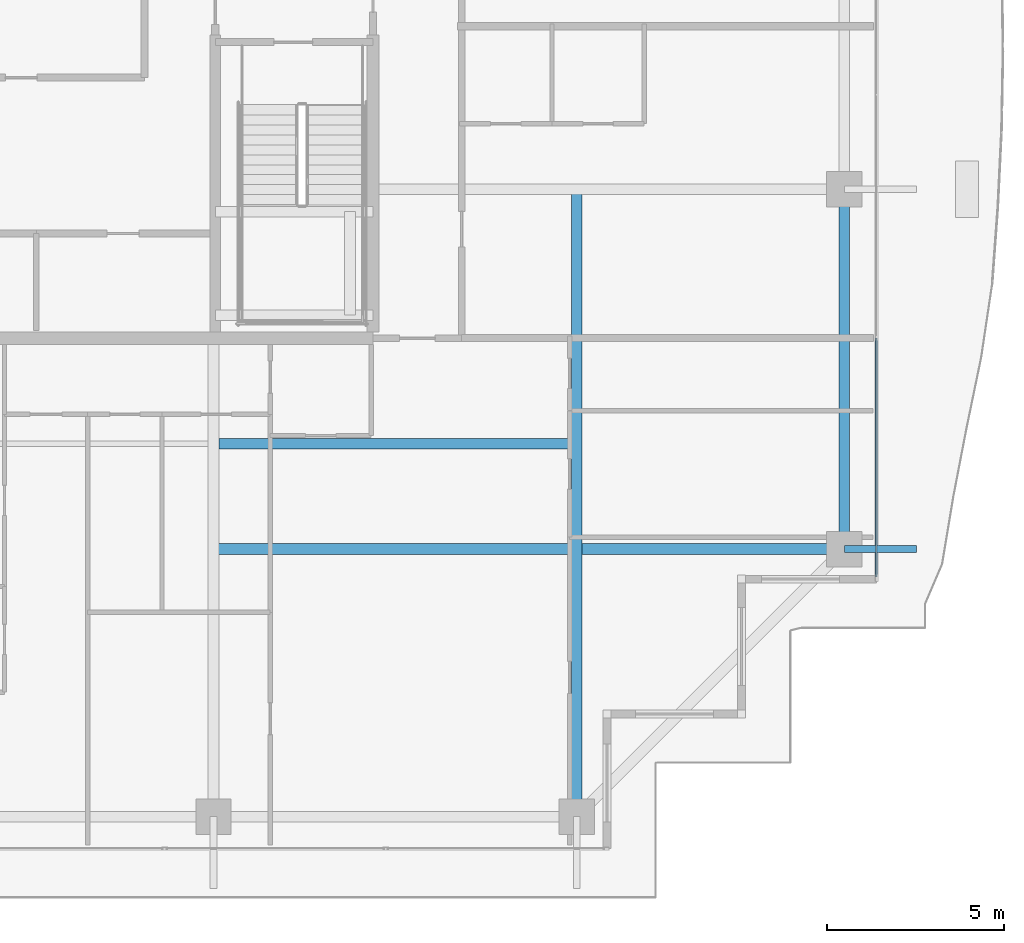
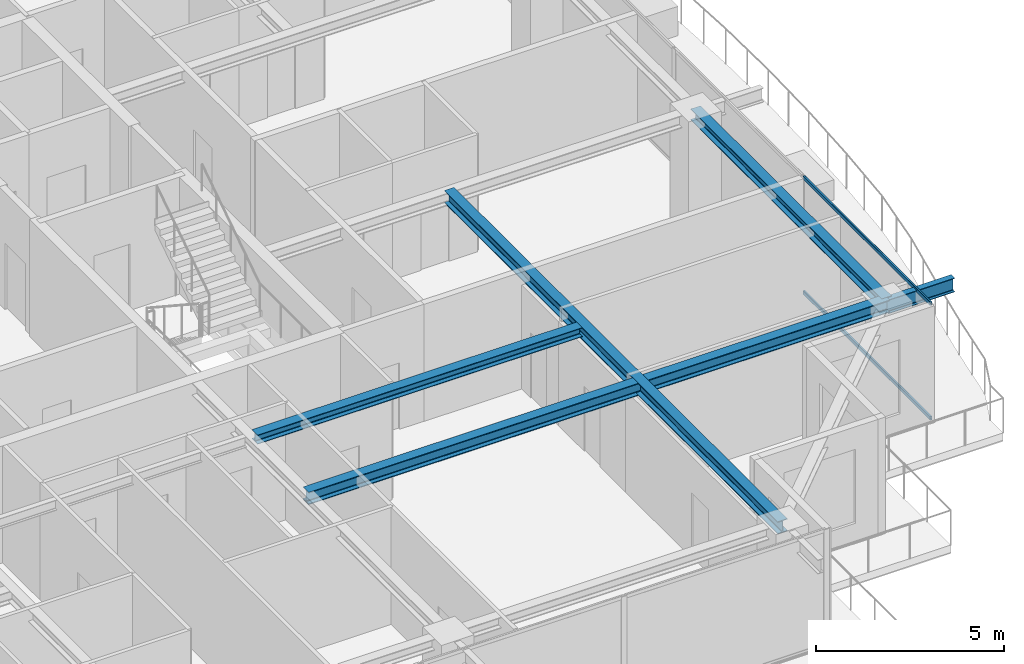
# One storey, part 14 of 39: 5 beams, 2 members, 1 element without a shape of its own.
"""IFC4 building model written with IfcOpenShell, lengths in metres."""

import ifcopenshell
import ifcopenshell.guid

model = None  # the IFC model being written
_history = None  # IfcOwnerHistory: only IFC2X3 demands one
_inside = {}  # id of a spatial element -> (the spatial element, [elements in it])
_under = {}  # id of a project, library or spatial element -> (it, [spatial elements below it])
_declared = {}  # id of a project -> (the project, [libraries it declares])
_typed = {}  # id of a type object -> (the type object, [elements of that type])
_made_of = {}  # id of a material, layer set ... -> (it, [elements and type objects made of it])


def new_model(schema):
    """Start an empty IFC model of exactly this schema.

    Asked for "IFC4X3", IfcOpenShell would pick the latest addendum, in which some entities
    have other attributes; the version numbers below select the first issue.
    IFC2X3 requires an IfcOwnerHistory on every rooted entity: one is made here for all.
    """
    global model, _history
    if schema == "IFC4X3":
        model = ifcopenshell.file(schema_version=(4, 3, 0, 0))
    else:
        model = ifcopenshell.file(schema=schema)
    _inside.clear()
    _under.clear()
    _declared.clear()
    _typed.clear()
    _made_of.clear()
    _history = None
    if model.schema == "IFC2X3":
        org = make("IfcOrganization", Name="unknown")
        user = make(
            "IfcPersonAndOrganization",
            ThePerson=make("IfcPerson", FamilyName="unknown"),
            TheOrganization=org,
        )
        app = make(
            "IfcApplication",
            ApplicationDeveloper=org,
            Version="unknown",
            ApplicationFullName="unknown",
            ApplicationIdentifier="unknown",
        )
        _history = make(
            "IfcOwnerHistory",
            OwningUser=user,
            OwningApplication=app,
            ChangeAction="ADDED",
            CreationDate=0,
        )
    return model


def make(cls, **values):
    """One entity of the class cls with the attributes given. An attribute that is None is left unset."""
    return model.create_entity(
        cls, **{name: value for name, value in values.items() if value is not None}
    )


def rooted(cls, **values):
    """An entity with a GlobalId (a new one), such as an element, a storey or a relation."""
    return make(cls, GlobalId=ifcopenshell.guid.new(), OwnerHistory=_history, **values)


def si_unit(unit_type, name, prefix=None):
    """IfcSIUnit, for example si_unit("LENGTHUNIT", "METRE", prefix="MILLI")."""
    return make("IfcSIUnit", UnitType=unit_type, Prefix=prefix, Name=name)


def assignment(units):
    """IfcUnitAssignment: the units of a project."""
    return None if units is None else make("IfcUnitAssignment", Units=units)


def point(xyz):
    """IfcCartesianPoint."""
    return None if xyz is None else make("IfcCartesianPoint", Coordinates=xyz)


def direction(xyz):
    """IfcDirection."""
    return None if xyz is None else make("IfcDirection", DirectionRatios=xyz)


def frame(location, z_axis=None, x_axis=None):
    """IfcAxis2Placement3D, a coordinate frame: its origin and axes. An axis left out is left unset."""
    return make(
        "IfcAxis2Placement3D",
        Location=point(location),
        Axis=direction(z_axis),
        RefDirection=direction(x_axis),
    )


def frame_2d(location, x_axis=None):
    """IfcAxis2Placement2D, a coordinate frame in the plane: its origin and x axis."""
    return make(
        "IfcAxis2Placement2D", Location=point(location), RefDirection=direction(x_axis)
    )


def origin():
    """The frame at (0, 0, 0) with its axes left unset."""
    return frame((0.0, 0.0, 0.0))


def origin_2d():
    """The frame at (0, 0) in the plane with its x axis left unset."""
    return frame_2d((0.0, 0.0))


def place(relative_to, where):
    """IfcLocalPlacement: puts the frame where relative to a parent placement (None: the world)."""
    return make(
        "IfcLocalPlacement", PlacementRelTo=relative_to, RelativePlacement=where
    )


def context(
    kind, dimensions, precision=None, world=None, true_north=None, identifier=None
):
    """IfcGeometricRepresentationContext, for example the 3D "Model" context."""
    return make(
        "IfcGeometricRepresentationContext",
        ContextIdentifier=identifier,
        ContextType=kind,
        CoordinateSpaceDimension=dimensions,
        Precision=precision,
        WorldCoordinateSystem=world,
        TrueNorth=true_north,
    )


def subcontext(parent, identifier, kind, view, scale=None):
    """IfcGeometricRepresentationSubContext, for example "Body" below "Model"."""
    return make(
        "IfcGeometricRepresentationSubContext",
        ContextIdentifier=identifier,
        ContextType=kind,
        ParentContext=parent,
        TargetScale=scale,
        TargetView=view,
    )


def project(units=None, contexts=None):
    """IfcProject with its units and contexts."""
    return rooted(
        "IfcProject",
        Name="project",
        RepresentationContexts=contexts,
        UnitsInContext=assignment(units),
    )


def spatial(cls, under=None, at=None, **own):
    """A site, building, storey or space (cls), placed at a placement, below another one or the project."""
    s = rooted(cls, ObjectPlacement=at, **own)
    if under is not None:
        _under.setdefault(under.id(), (under, []))[1].append(s)
    return s


def profile(cls, at=None, kind="AREA", **sizes):
    """A parametric profile (cls). Its sizes go by their IFC names, for example OverallWidth=200.0."""
    return make(cls, ProfileType=kind, Position=at, **sizes)


def hollow_rectangle(**sizes):
    """IfcRectangleHollowProfileDef."""
    return profile("IfcRectangleHollowProfileDef", **sizes)


def i_section(**sizes):
    """IfcIShapeProfileDef."""
    return profile("IfcIShapeProfileDef", **sizes)


def extrude(swept, where, along, depth):
    """IfcExtrudedAreaSolid: the profile swept, set in the frame where, extruded along a direction by depth."""
    return make(
        "IfcExtrudedAreaSolid",
        SweptArea=swept,
        Position=where,
        ExtrudedDirection=direction(along),
        Depth=depth,
    )


def shape(context_of_items, identifier, shape_type, items):
    """IfcShapeRepresentation: the items that make up one representation, for example the "Body"."""
    return make(
        "IfcShapeRepresentation",
        ContextOfItems=context_of_items,
        RepresentationIdentifier=identifier,
        RepresentationType=shape_type,
        Items=items,
    )


def source(mapping_origin, context_of_items, identifier, shape_type, items):
    """IfcRepresentationMap: a shape defined once, which mapped items show again and again."""
    return make(
        "IfcRepresentationMap",
        MappingOrigin=mapping_origin,
        MappedRepresentation=shape(context_of_items, identifier, shape_type, items),
    )


def transform(
    local_origin,
    x_axis=None,
    y_axis=None,
    z_axis=None,
    scale=None,
    scale2=None,
    scale3=None,
    uniform=True,
):
    """IfcCartesianTransformationOperator3D, or its non-uniform kind. x_axis, y_axis, z_axis: its Axis1, 2, 3."""
    if uniform:
        return make(
            "IfcCartesianTransformationOperator3D",
            Axis1=direction(x_axis),
            Axis2=direction(y_axis),
            LocalOrigin=point(local_origin),
            Scale=scale,
            Axis3=direction(z_axis),
        )
    return make(
        "IfcCartesianTransformationOperator3DnonUniform",
        Axis1=direction(x_axis),
        Axis2=direction(y_axis),
        LocalOrigin=point(local_origin),
        Scale=scale,
        Axis3=direction(z_axis),
        Scale2=scale2,
        Scale3=scale3,
    )


def mapped(mapping_source, mapping_target):
    """IfcMappedItem: shows the shape of a source again, moved by a transform."""
    return make(
        "IfcMappedItem", MappingSource=mapping_source, MappingTarget=mapping_target
    )


def material(Name=None, Category=None):
    """IfcMaterial."""
    return make("IfcMaterial", Name=Name, Category=Category)


def layer(
    of_material, thickness, ventilated=None, Name=None, Category=None, Priority=None
):
    """IfcMaterialLayer: one layer of a wall or slab, of a material (None: an air gap)."""
    return make(
        "IfcMaterialLayer",
        Material=of_material,
        LayerThickness=thickness,
        IsVentilated=ventilated,
        Name=Name,
        Category=Category,
        Priority=Priority,
    )


def layer_set(layers, Name=None):
    """IfcMaterialLayerSet."""
    return make("IfcMaterialLayerSet", MaterialLayers=layers, LayerSetName=Name)


def material_profile(
    of_material, cross_section, Name=None, Category=None, Priority=None
):
    """IfcMaterialProfile: a cross section and its material."""
    return make(
        "IfcMaterialProfile",
        Name=Name,
        Material=of_material,
        Profile=cross_section,
        Priority=Priority,
        Category=Category,
    )


def profile_set(profiles, Name=None, composite=None):
    """IfcMaterialProfileSet."""
    return make(
        "IfcMaterialProfileSet",
        Name=Name,
        MaterialProfiles=profiles,
        CompositeProfile=composite,
    )


def made_of(thing, what):
    """Note that an element or type object is made of a material, layer set ...; save() writes the relation."""
    if what is not None:
        _made_of.setdefault(what.id(), (what, []))[1].append(thing)
    return thing


def type_object(cls, material=None, **own):
    """A type object (cls), such as IfcWallType, which elements share."""
    return made_of(rooted(cls, **own), material)


def element(
    cls,
    number,
    at=None,
    inside=None,
    cuts=None,
    type_object=None,
    material=None,
    context=None,
    identifier="Body",
    shape_type=None,
    held_by="IfcProductDefinitionShape",
    body=None,
    shapes=None,
    **own,
):
    """One element of the class cls, such as IfcWall. Its Tag is "e" and its number.

    at: its placement. inside: the storey or other place that contains it. cuts: it is an
    opening in that element (IfcRelVoidsElement). A single representation is given by context,
    identifier, shape_type and body (its items); several are given by shapes. held_by: the class
    of the entity that holds the representations. save() writes the other relations.
    """
    e = rooted(cls, Tag="e%d" % number, ObjectPlacement=at, **own)
    if body is not None:
        shapes = [shape(context, identifier, shape_type, body)]
    if shapes is not None:
        e.Representation = make(held_by, Representations=shapes)
    if inside is not None:
        _inside.setdefault(inside.id(), (inside, []))[1].append(e)
    if cuts is not None:
        rooted(
            "IfcRelVoidsElement", RelatingBuildingElement=cuts, RelatedOpeningElement=e
        )
    if type_object is not None:
        _typed.setdefault(type_object.id(), (type_object, []))[1].append(e)
    return made_of(e, material)


def aggregate(whole, parts):
    """IfcRelAggregates: a whole, such as a stair, and the parts it consists of."""
    return rooted("IfcRelAggregates", RelatingObject=whole, RelatedObjects=parts)


def save(model, path):
    """Write the relations noted so far, then the file.

    IfcRelAggregates (storeys below a building ...), IfcRelContainedInSpatialStructure (elements
    in a storey), IfcRelDefinesByType, IfcRelAssociatesMaterial and IfcRelDeclares: one each for
    every whole, place, type object, material and project.
    """
    for whole, parts in _under.values():
        aggregate(whole, parts)
    for where, things in _inside.values():
        rooted(
            "IfcRelContainedInSpatialStructure",
            RelatedElements=things,
            RelatingStructure=where,
        )
    for kind, things in _typed.values():
        rooted("IfcRelDefinesByType", RelatedObjects=things, RelatingType=kind)
    for what, things in _made_of.values():
        rooted("IfcRelAssociatesMaterial", RelatedObjects=things, RelatingMaterial=what)
    for by, libraries in _declared.values():
        rooted("IfcRelDeclares", RelatingContext=by, RelatedDefinitions=libraries)
    model.write(path)


model = new_model("IFC4")

# Units and contexts
model_context = context("Model", 3, precision=1e-05, world=origin(), true_north=direction((0.0, 1.0)))
body_context = subcontext(model_context, "Body", "Model", "MODEL_VIEW")
ifc_project = project(units=[si_unit("LENGTHUNIT", "METRE"), si_unit("AREAUNIT", "SQUARE_METRE"), si_unit("VOLUMEUNIT", "CUBIC_METRE"), si_unit("PLANEANGLEUNIT", "RADIAN"), si_unit("MASSUNIT", "GRAM", prefix="KILO")], contexts=[model_context])

# Site, building, storey
site_placement = place(None, origin())
site = spatial("IfcSite", under=ifc_project, at=site_placement, CompositionType="ELEMENT")
building_placement = place(site_placement, origin())
building = spatial("IfcBuilding", under=site, at=building_placement, Name="Serunith Strait Residences", CompositionType="ELEMENT")
storey_placement = place(building_placement, frame((0.0, 0.0, 329.89990234375)))
storey = spatial("IfcBuildingStorey", under=building, at=storey_placement, Name="L82", CompositionType="ELEMENT", Elevation=329.89990234375)

# Beams
ifc_material_1 = material(Name="Steel S355J2", Category="steel")
ifc_material_profile_1 = material_profile(ifc_material_1, i_section(OverallWidth=0.300048828125, OverallDepth=0.300048828125, WebThickness=0.010986328125, FlangeThickness=0.01904296875, FilletRadius=0.027099609375, at=origin_2d()), Name="HEB 300")
ifc_profile_set_1 = profile_set([ifc_material_profile_1], Name="Steel S355J2")
beam_type_1 = type_object("IfcBeamType", Name="BM-HEB300", PredefinedType="JOIST", material=ifc_profile_set_1)
shared_shape_1 = source(origin(), body_context, "Body", "SweptSolid", [
    extrude(i_section(OverallWidth=0.300048828125, OverallDepth=0.300048828125, WebThickness=0.010986328125, FlangeThickness=0.01904296875, FilletRadius=0.027099609375, at=origin_2d()), origin(), (0.0, 0.0, 1.0), 9.949951171875),
])
beam_1_placement = place(storey_placement, frame((37.050048828125, 13.824951171875, 3.63720703125), z_axis=(1.0, 0.0, 0.0), x_axis=(0.0, 1.0, 0.0)))
element("IfcBeam", 1, at=beam_1_placement, inside=storey, type_object=beam_type_1, Name="L82 Composite Floor Joist 03", PredefinedType="JOIST", context=body_context, shape_type="MappedRepresentation", body=[
    mapped(shared_shape_1, transform((0.0, 0.0, 0.0), scale=1.0)),
])
ifc_material_profile_2 = material_profile(ifc_material_1, i_section(OverallWidth=0.300048828125, OverallDepth=0.39990234375, WebThickness=0.013427734375, FlangeThickness=0.02392578125, FilletRadius=0.027099609375, at=origin_2d()), Name="HEB 400")
ifc_profile_set_2 = profile_set([ifc_material_profile_2], Name="Steel S355J2")
beam_type_2 = type_object("IfcBeamType", Name="BM-HEB400", PredefinedType="BEAM", material=ifc_profile_set_2)
shared_shape_2 = source(origin(), body_context, "Body", "SweptSolid", [
    extrude(i_section(OverallWidth=0.300048828125, OverallDepth=0.39990234375, WebThickness=0.013427734375, FlangeThickness=0.02392578125, FilletRadius=0.027099609375, at=origin_2d()), origin(), (0.0, 0.0, 1.0), 17.699951171875),
])
beam_2_placement = place(storey_placement, frame((47.14990234375, 21.0, 3.587158203125), z_axis=(0.0, -1.0, 0.0), x_axis=(1.0, 0.0, 0.0)))
element("IfcBeam", 2, at=beam_2_placement, inside=storey, type_object=beam_type_2, Name="L82 Orthogonal Corner Girder TC-S4", PredefinedType="BEAM", context=body_context, shape_type="MappedRepresentation", body=[
    mapped(shared_shape_2, transform((0.0, 0.0, 0.0), scale=1.0)),
])
shared_shape_3 = source(origin(), body_context, "Body", "SweptSolid", [
    extrude(i_section(OverallWidth=0.300048828125, OverallDepth=0.39990234375, WebThickness=0.013427734375, FlangeThickness=0.02392578125, FilletRadius=0.027099609375, at=origin_2d()), origin(), (0.0, 0.0, 1.0), 17.800048828125),
])
beam_3_placement = place(storey_placement, frame((36.89990234375, 10.85009765625, 3.587158203125), z_axis=(1.0, 0.0, 0.0), x_axis=(0.0, 1.0, 0.0)))
element("IfcBeam", 3, at=beam_3_placement, inside=storey, type_object=beam_type_2, Name="L82 Orthogonal Corner Girder TC-E1", PredefinedType="BEAM", context=body_context, shape_type="MappedRepresentation", body=[
    mapped(shared_shape_3, transform((0.0, 0.0, 0.0), scale=1.0)),
])
ifc_material_profile_3 = material_profile(ifc_material_1, i_section(OverallWidth=0.300048828125, OverallDepth=0.360107421875, WebThickness=0.012451171875, FlangeThickness=0.0224609375, FilletRadius=0.027099609375, at=origin_2d()), Name="HEB 360")
ifc_profile_set_3 = profile_set([ifc_material_profile_3], Name="Steel S355J2")
beam_type_3 = type_object("IfcBeamType", Name="BM-HEB360", PredefinedType="BEAM", material=ifc_profile_set_3)
shared_shape_4 = source(origin(), body_context, "Body", "SweptSolid", [
    extrude(i_section(OverallWidth=0.300048828125, OverallDepth=0.360107421875, WebThickness=0.012451171875, FlangeThickness=0.0224609375, FilletRadius=0.027099609375, at=origin_2d()), origin(), (0.0, 0.0, 1.0), 10.14990234375),
])
beam_4_placement = place(storey_placement, frame((54.699951171875, 10.85009765625, 3.607177734375), z_axis=(0.0, 1.0, 0.0), x_axis=(-1.0, 0.0, 0.0)))
element("IfcBeam", 4, at=beam_4_placement, inside=storey, type_object=beam_type_3, Name="L82 Perimeter Ring Beam 05", PredefinedType="BEAM", context=body_context, shape_type="MappedRepresentation", body=[
    mapped(shared_shape_4, transform((0.0, 0.0, 0.0), scale=1.0)),
])
ifc_material_profile_4 = material_profile(ifc_material_1, i_section(OverallWidth=0.18994140625, OverallDepth=0.449951171875, WebThickness=0.009521484375, FlangeThickness=0.0146484375, FilletRadius=0.02099609375, at=origin_2d()), Name="IPE 450")
ifc_profile_set_4 = profile_set([ifc_material_profile_4], Name="Steel S355J2")
beam_type_4 = type_object("IfcBeamType", Name="BM-IPE450", PredefinedType="JOIST", material=ifc_profile_set_4)
shared_shape_5 = source(origin(), body_context, "Body", "SweptSolid", [
    extrude(i_section(OverallWidth=0.18994140625, OverallDepth=0.449951171875, WebThickness=0.009521484375, FlangeThickness=0.0146484375, FilletRadius=0.02099609375, at=origin_2d()), origin(), (0.0, 0.0, 1.0), 2.030029296875),
])
beam_5_placement = place(storey_placement, frame((54.699951171875, 10.85009765625, 3.531982421875), z_axis=(1.0, 0.0, 0.0), x_axis=(0.0, 1.0, 0.0)))
element("IfcBeam", 5, at=beam_5_placement, inside=storey, type_object=beam_type_4, Name="L83 Cantilevered Balcony Rib TC-E1", PredefinedType="JOIST", context=body_context, shape_type="MappedRepresentation", body=[
    mapped(shared_shape_5, transform((0.0, 0.0, 0.0), scale=1.0)),
])

# Curtain wall, members
ifc_material_2 = material(Name="Brushed Stainless-Silver Aluminium", Category="aluminium")
ifc_layer = layer(ifc_material_2, 0.199951171875, Name="Brushed Stainless-Silver Aluminium")
ifc_layer_set = layer_set([ifc_layer], Name="Brushed Stainless-Silver Aluminium")
curtain_wall_type = type_object("IfcCurtainWallType", Name="CW-SYS5", PredefinedType="NOTDEFINED", material=ifc_layer_set)
curtain_wall_placement = place(storey_placement, origin())
curtain_wall = element("IfcCurtainWall", 6, at=curtain_wall_placement, inside=storey, type_object=curtain_wall_type, Name="L82 E Unitised Fritted Curtain Wall", PredefinedType="NOTDEFINED")
ifc_material_profile_5 = material_profile(ifc_material_2, hollow_rectangle(XDim=0.06005859375, YDim=0.1201171875, WallThickness=0.00341796875, InnerFilletRadius=0.00537109375, OuterFilletRadius=0.0087890625, at=origin_2d()), Name="ALU 120x60x3.5")
ifc_profile_set_5 = profile_set([ifc_material_profile_5], Name="Brushed Stainless-Silver Aluminium")
member_type = type_object("IfcMemberType", Name="CW-SYS5-TRAN", PredefinedType="USERDEFINED", material=ifc_profile_set_5)
shared_shape_6 = source(origin(), body_context, "Body", "SweptSolid", [
    extrude(hollow_rectangle(XDim=0.06005859375, YDim=0.1201171875, WallThickness=0.00341796875, InnerFilletRadius=0.00537109375, OuterFilletRadius=0.0087890625, at=origin_2d()), origin(), (0.0, 0.0, 1.0), 6.73583984375),
])
member_1_placement = place(storey_placement, frame((55.60009765625, 10.06494140625, 0.030029296875), z_axis=(0.0, 1.0, 0.0), x_axis=(-1.0, 0.0, 0.0)))
member_1 = element("IfcMember", 7, at=member_1_placement, type_object=member_type, Name="CW-5 transom 1.1", ObjectType="TRANSOM", PredefinedType="USERDEFINED", context=body_context, shape_type="MappedRepresentation", body=[
    mapped(shared_shape_6, transform((0.0, 0.0, 0.0), scale=1.0)),
])
member_2_placement = place(storey_placement, frame((55.60009765625, 10.06494140625, 3.7451171875), z_axis=(0.0, 1.0, 0.0), x_axis=(-1.0, 0.0, 0.0)))
member_2 = element("IfcMember", 8, at=member_2_placement, type_object=member_type, Name="CW-5 transom 1.2", ObjectType="TRANSOM", PredefinedType="USERDEFINED", context=body_context, shape_type="MappedRepresentation", body=[
    mapped(shared_shape_6, transform((0.0, 0.0, 0.0), scale=1.0)),
])
aggregate(curtain_wall, [member_1, member_2])

save(model, "model.ifc")
